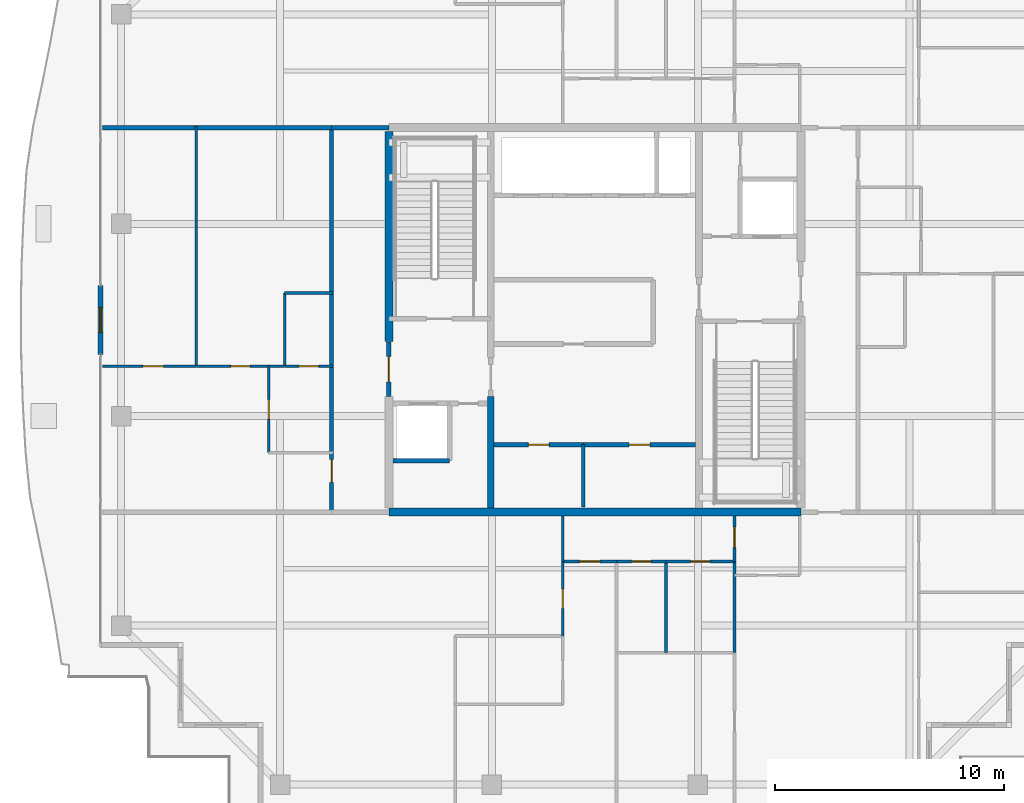
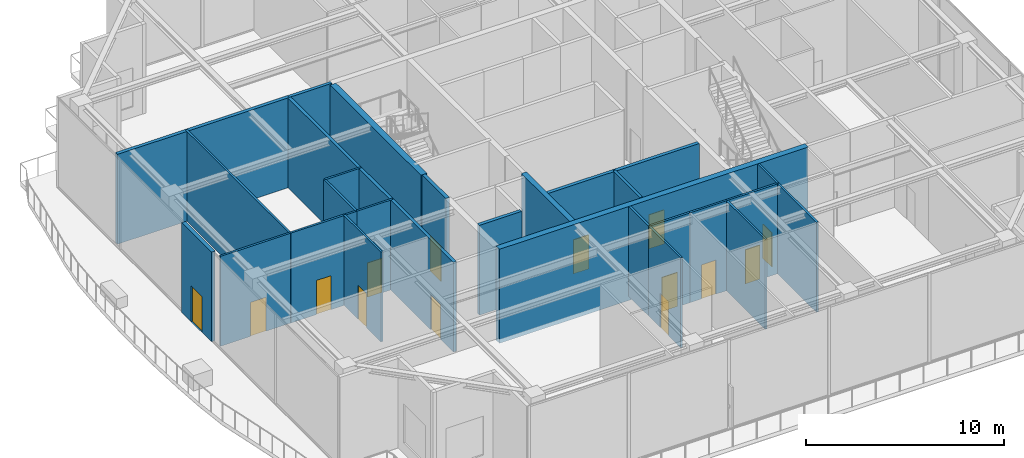
# One storey, part 26 of 38: 27 walls, 14 doors, 14 openings.
"""IFC4 building model written with IfcOpenShell, lengths in metres."""

from ifc_helpers import new_model, si_unit, direction, frame, frame_2d, origin, place, context, subcontext, project, spatial, rectangle, extrude, source, transform, mapped, material, layer, layer_set, type_object, element, fill, save


model = new_model("IFC4")

# Units and contexts
model_context = context("Model", 3, precision=1e-05, world=origin(), true_north=direction((0.0, 1.0)))
body_context = subcontext(model_context, "Body", "Model", "MODEL_VIEW")
ifc_project = project(units=[si_unit("LENGTHUNIT", "METRE"), si_unit("AREAUNIT", "SQUARE_METRE"), si_unit("VOLUMEUNIT", "CUBIC_METRE"), si_unit("PLANEANGLEUNIT", "RADIAN"), si_unit("MASSUNIT", "GRAM", prefix="KILO")], contexts=[model_context])

# Site, building, storey
site_placement = place(None, origin())
site = spatial("IfcSite", under=ifc_project, at=site_placement, CompositionType="ELEMENT")
building_placement = place(site_placement, origin())
building = spatial("IfcBuilding", under=site, at=building_placement, Name="Serunith Strait Residences", CompositionType="ELEMENT")
storey_placement = place(building_placement, frame((0.0, 0.0, 353.85009765625)))
storey = spatial("IfcBuildingStorey", under=building, at=storey_placement, Name="L87", CompositionType="ELEMENT", Elevation=353.85009765625)

# Wall, opening, door
ifc_material_1 = material(Name="Pale-Champagne Aluminium Insulated Panel", Category="aluminium")
ifc_layer_1 = layer(ifc_material_1, 0.219970703125, Name="Pale-Champagne Aluminium Insulated Panel")
ifc_layer_set_1 = layer_set([ifc_layer_1], Name="Pale-Champagne Aluminium Insulated Panel")
wall_type_1 = type_object("IfcWallType", Name="EW-ALUM-220", PredefinedType="ELEMENTEDWALL", material=ifc_layer_set_1)
wall_1_placement = place(storey_placement, frame((10.800048828125, 26.699951171875, 0.0), z_axis=(0.0, 0.0, 1.0), x_axis=(0.0, -1.0, 0.0)))
wall_1 = element("IfcWall", 1, at=wall_1_placement, inside=storey, type_object=wall_type_1, Name="L87 W Facade Pier Wall", PredefinedType="ELEMENTEDWALL", context=body_context, shape_type="SweptSolid", body=[
    extrude(rectangle(XDim=3.0, YDim=0.219970703125, at=frame_2d((1.5, 0.0))), origin(), (0.0, 0.0, 1.0), 5.52490234375),
])
opening_1_placement = place(wall_1_placement, frame((0.949951171875, 0.0, 0.0)))
opening_1 = element("IfcOpeningElement", 2, at=opening_1_placement, cuts=wall_1, Name="Opening ED-03", PredefinedType="OPENING", context=body_context, shape_type="SweptSolid", body=[
    extrude(rectangle(XDim=1.10009765625, YDim=2.199951171875, at=frame_2d((0.550048828125, 1.10009765625))), frame((0.0, 0.1201171875, 0.0), z_axis=(0.0, -1.0, 0.0), x_axis=(1.0, 0.0, 0.0)), (0.0, 0.0, 1.0), 0.239990234375),
])
ifc_material_2 = material(Name="Thermally-Broken Aluminium Glazed Balcony Door", Category="aluminium")
door_type_1 = type_object("IfcDoorType", Name="ED-BALC-1100", OperationType="NOTDEFINED", PredefinedType="DOOR", material=ifc_material_2)
shared_shape_1 = source(origin(), body_context, "Body", "SweptSolid", [
    extrude(rectangle(XDim=1.10009765625, YDim=2.199951171875, at=frame_2d((0.550048828125, 1.10009765625))), frame((0.0, 0.02490234375, 0.0), z_axis=(0.0, -1.0, 0.0), x_axis=(1.0, 0.0, 0.0)), (0.0, 0.0, 1.0), 0.050048828125),
])
door_1_placement = place(opening_1_placement, origin())
door_1 = element("IfcDoor", 3, at=door_1_placement, inside=storey, type_object=door_type_1, Name="L87 W Vertical-Forest Balcony Door", OperationType="SINGLE_SWING_LEFT", OverallHeight=2.199951171875, OverallWidth=1.10009765625, PredefinedType="DOOR", context=body_context, shape_type="MappedRepresentation", body=[
    mapped(shared_shape_1, transform((0.0, 0.0, 0.0), scale=1.0)),
])
fill(opening_1, door_1)

# Walls
ifc_material_3 = material(Name="Fire-rated masonry service closet wall", Category="masonry")
ifc_layer_2 = layer(ifc_material_3, 0.14990234375, Name="Fire-rated masonry service closet wall")
ifc_layer_set_2 = layer_set([ifc_layer_2], Name="Fire-rated masonry service closet wall")
wall_type_2 = type_object("IfcWallType", Name="IW-BOH-150", PredefinedType="PARTITIONING", material=ifc_layer_set_2)
wall_2_placement = place(storey_placement, frame((31.89990234375, 17.02001953125, 0.0), z_axis=(0.0, 0.0, 1.0), x_axis=(0.0, 1.0, 0.0)))
element("IfcWall", 4, at=wall_2_placement, inside=storey, type_object=wall_type_2, Name="L87 Partition Wall 014", PredefinedType="PARTITIONING", context=body_context, shape_type="SweptSolid", body=[
    extrude(rectangle(XDim=2.72998046875, YDim=0.14990234375, at=frame_2d((1.364990234375, 0.0))), origin(), (0.0, 0.0, 1.0), 5.539794921875),
])
ifc_material_4 = material(Name="Fire-rated acoustic gypsum partition")
ifc_layer_3 = layer(ifc_material_4, 0.179931640625, Name="Fire-rated acoustic gypsum partition")
ifc_layer_set_3 = layer_set([ifc_layer_3], Name="Fire-rated acoustic gypsum partition")
wall_type_3 = type_object("IfcWallType", Name="IW-CORR-180", PredefinedType="PARTITIONING", material=ifc_layer_set_3)
wall_3_placement = place(storey_placement, frame((20.902099609375, 33.60009765625, 0.0), z_axis=(0.0, 0.0, 1.0), x_axis=(1.0, 0.0, 0.0)))
element("IfcWall", 5, at=wall_3_placement, inside=storey, type_object=wall_type_3, Name="L87 Partition Wall 023", PredefinedType="PARTITIONING", context=body_context, shape_type="SweptSolid", body=[
    extrude(rectangle(XDim=2.495849609375, YDim=0.179931640625, at=frame_2d((1.248046875, 0.0))), origin(), (0.0, 0.0, 1.0), 5.539794921875),
])

# Wall, opening, door
wall_4_placement = place(storey_placement, frame((20.89990234375, 16.800048828125, 0.0), z_axis=(0.0, 0.0, 1.0), x_axis=(0.0, 1.0, 0.0)))
wall_4 = element("IfcWall", 6, at=wall_4_placement, inside=storey, type_object=wall_type_3, Name="L87 Partition Wall 024", PredefinedType="PARTITIONING", context=body_context, shape_type="SweptSolid", body=[
    extrude(rectangle(XDim=16.800048828125, YDim=0.179931640625, at=frame_2d((8.39990234375, 0.0))), origin(), (0.0, 0.0, 1.0), 5.539794921875),
])
opening_2_placement = place(wall_4_placement, frame((1.300048828125, 0.0, 0.0)))
opening_2 = element("IfcOpeningElement", 7, at=opening_2_placement, cuts=wall_4, Name="Opening D-APT1000", PredefinedType="OPENING", context=body_context, shape_type="SweptSolid", body=[
    extrude(rectangle(XDim=1.0, YDim=2.14990234375, at=frame_2d((0.5, 1.074951171875))), frame((0.0, 0.10009765625, 0.0), z_axis=(0.0, -1.0, 0.0), x_axis=(1.0, 0.0, 0.0)), (0.0, 0.0, 1.0), 0.199951171875),
])
ifc_material_5 = material(Name="Solid timber engineered fire door", Category="wood")
door_type_2 = type_object("IfcDoorType", Name="ID-APT-1000", OperationType="NOTDEFINED", PredefinedType="DOOR", material=ifc_material_5)
shared_shape_2 = source(origin(), body_context, "Body", "SweptSolid", [
    extrude(rectangle(XDim=1.0, YDim=2.14990234375, at=frame_2d((0.5, 1.074951171875))), frame((0.0, 0.02490234375, 0.0), z_axis=(0.0, -1.0, 0.0), x_axis=(1.0, 0.0, 0.0)), (0.0, 0.0, 1.0), 0.050048828125),
])
door_2_placement = place(opening_2_placement, origin())
door_2 = element("IfcDoor", 8, at=door_2_placement, inside=storey, type_object=door_type_2, Name="L87 Unit 03 Entrance Door", OperationType="SINGLE_SWING_RIGHT", OverallHeight=2.14990234375, OverallWidth=1.0, PredefinedType="DOOR", context=body_context, shape_type="MappedRepresentation", body=[
    mapped(shared_shape_2, transform((0.0, 0.0, 0.0), scale=1.0)),
])
fill(opening_2, door_2)

ifc_material_6 = material(Name="Lightweight steel-stud gypsum partition", Category="steel")
ifc_layer_4 = layer(ifc_material_6, 0.1201171875, Name="Lightweight steel-stud gypsum partition")
ifc_layer_set_4 = layer_set([ifc_layer_4], Name="Lightweight steel-stud gypsum partition")
wall_type_4 = type_object("IfcWallType", Name="IW-PART-120", PredefinedType="PARTITIONING", material=ifc_layer_set_4)
wall_5_placement = place(storey_placement, frame((38.5, 14.64990234375, 0.0), z_axis=(0.0, 0.0, 1.0), x_axis=(0.0, 1.0, 0.0)))
wall_5 = element("IfcWall", 9, at=wall_5_placement, inside=storey, type_object=wall_type_4, Name="L87 Partition Wall 030", PredefinedType="PARTITIONING", context=body_context, shape_type="SweptSolid", body=[
    extrude(rectangle(XDim=1.97509765625, YDim=0.1201171875, at=frame_2d((0.987548828125, 0.0))), origin(), (0.0, 0.0, 1.0), 5.539794921875),
])
opening_3_placement = place(wall_5_placement, frame((0.60107421875, 0.0, 0.0)))
opening_3 = element("IfcOpeningElement", 10, at=opening_3_placement, cuts=wall_5, Name="Opening D-RM900", PredefinedType="OPENING", context=body_context, shape_type="SweptSolid", body=[
    extrude(rectangle(XDim=0.89990234375, YDim=2.10009765625, at=frame_2d((0.449951171875, 1.050048828125))), frame((0.0, 0.070068359375, 0.0), z_axis=(0.0, -1.0, 0.0), x_axis=(1.0, 0.0, 0.0)), (0.0, 0.0, 1.0), 0.14013671875),
])
ifc_material_7 = material(Name="Engineered timber flush bedroom door", Category="wood")
door_type_3 = type_object("IfcDoorType", Name="ID-ROOM-900", OperationType="NOTDEFINED", PredefinedType="DOOR", material=ifc_material_7)
shared_shape_3 = source(origin(), body_context, "Body", "SweptSolid", [
    extrude(rectangle(XDim=0.89990234375, YDim=2.10009765625, at=frame_2d((0.449951171875, 1.050048828125))), frame((0.0, 0.02490234375, 0.0), z_axis=(0.0, -1.0, 0.0), x_axis=(1.0, 0.0, 0.0)), (0.0, 0.0, 1.0), 0.050048828125),
])
door_3_placement = place(opening_3_placement, origin())
door_3 = element("IfcDoor", 11, at=door_3_placement, inside=storey, type_object=door_type_3, Name="L87 Hall W 8701 Door", OperationType="SINGLE_SWING_LEFT", OverallHeight=2.10009765625, OverallWidth=0.89990234375, PredefinedType="DOOR", context=body_context, shape_type="MappedRepresentation", body=[
    mapped(shared_shape_3, transform((0.0, 0.0, 0.0), scale=1.0)),
])
fill(opening_3, door_3)

# Walls
wall_6_placement = place(storey_placement, frame((38.5, 10.666015625, 0.0), z_axis=(0.0, 0.0, 1.0), x_axis=(0.0, 1.0, 0.0)))
element("IfcWall", 12, at=wall_6_placement, inside=storey, type_object=wall_type_4, Name="L87 Partition Wall 032", PredefinedType="PARTITIONING", context=body_context, shape_type="SweptSolid", body=[
    extrude(rectangle(XDim=3.98193359375, YDim=0.1201171875, at=frame_2d((1.990966796875, 0.0))), origin(), (0.0, 0.0, 1.0), 5.539794921875),
])
wall_7_placement = place(storey_placement, frame((35.512939453125, 10.6640625, 0.0), z_axis=(0.0, 0.0, 1.0), x_axis=(0.0, 1.0, 0.0)))
element("IfcWall", 13, at=wall_7_placement, inside=storey, type_object=wall_type_4, Name="L87 Partition Wall 035", PredefinedType="PARTITIONING", context=body_context, shape_type="SweptSolid", body=[
    extrude(rectangle(XDim=3.98583984375, YDim=0.1201171875, at=frame_2d((1.992919921875, 0.0))), origin(), (0.0, 0.0, 1.0), 5.539794921875),
])

# Wall, opening, door
wall_8_placement = place(storey_placement, frame((33.35009765625, 14.64990234375, 0.0), z_axis=(0.0, 0.0, 1.0), x_axis=(1.0, 0.0, 0.0)))
wall_8 = element("IfcWall", 14, at=wall_8_placement, inside=storey, type_object=wall_type_4, Name="L87 Partition Wall 036", PredefinedType="PARTITIONING", context=body_context, shape_type="SweptSolid", body=[
    extrude(rectangle(XDim=2.162841796875, YDim=0.1201171875, at=frame_2d((1.08154296875, 0.0))), origin(), (0.0, 0.0, 1.0), 5.539794921875),
])
opening_4_placement = place(wall_8_placement, frame((0.656005859375, 0.0, 0.0)))
opening_4 = element("IfcOpeningElement", 15, at=opening_4_placement, cuts=wall_8, Name="Opening D-BTH850", PredefinedType="OPENING", context=body_context, shape_type="SweptSolid", body=[
    extrude(rectangle(XDim=0.85009765625, YDim=2.10009765625, at=frame_2d((0.425048828125, 1.050048828125))), frame((0.0, 0.070068359375, 0.0), z_axis=(0.0, -1.0, 0.0), x_axis=(1.0, 0.0, 0.0)), (0.0, 0.0, 1.0), 0.14013671875),
])
ifc_material_8 = material(Name="Moisture-resistant timber bathroom door", Category="wood")
door_type_4 = type_object("IfcDoorType", Name="ID-BATH-850", OperationType="NOTDEFINED", PredefinedType="DOOR", material=ifc_material_8)
shared_shape_4 = source(origin(), body_context, "Body", "SweptSolid", [
    extrude(rectangle(XDim=0.85009765625, YDim=2.10009765625, at=frame_2d((0.425048828125, 1.050048828125))), frame((0.0, 0.02490234375, 0.0), z_axis=(0.0, -1.0, 0.0), x_axis=(1.0, 0.0, 0.0)), (0.0, 0.0, 1.0), 0.050048828125),
])
door_4_placement = place(opening_4_placement, origin())
door_4 = element("IfcDoor", 16, at=door_4_placement, inside=storey, type_object=door_type_4, Name="L87 Bathroom 8701 Door", OperationType="SINGLE_SWING_LEFT", OverallHeight=2.10009765625, OverallWidth=0.85009765625, PredefinedType="DOOR", context=body_context, shape_type="MappedRepresentation", body=[
    mapped(shared_shape_4, transform((0.0, 0.0, 0.0), scale=1.0)),
])
fill(opening_4, door_4)

wall_9_placement = place(storey_placement, frame((35.514892578125, 14.64990234375, 0.0), z_axis=(0.0, 0.0, 1.0), x_axis=(1.0, 0.0, 0.0)))
wall_9 = element("IfcWall", 17, at=wall_9_placement, inside=storey, type_object=wall_type_4, Name="L87 Partition Wall 037", PredefinedType="PARTITIONING", context=body_context, shape_type="SweptSolid", body=[
    extrude(rectangle(XDim=2.985107421875, YDim=0.1201171875, at=frame_2d((1.49267578125, 0.0))), origin(), (0.0, 0.0, 1.0), 5.539794921875),
])
opening_5_placement = place(wall_9_placement, frame((1.06689453125, 0.0, 0.0)))
opening_5 = element("IfcOpeningElement", 18, at=opening_5_placement, cuts=wall_9, Name="Opening D-RM850", PredefinedType="OPENING", context=body_context, shape_type="SweptSolid", body=[
    extrude(rectangle(XDim=0.85009765625, YDim=2.10009765625, at=frame_2d((0.425048828125, 1.050048828125))), frame((0.0, 0.070068359375, 0.0), z_axis=(0.0, -1.0, 0.0), x_axis=(1.0, 0.0, 0.0)), (0.0, 0.0, 1.0), 0.14013671875),
])
ifc_material_9 = material(Name="Engineered timber flush study and kitchen door", Category="wood")
door_type_5 = type_object("IfcDoorType", Name="ID-ROOM-850", OperationType="NOTDEFINED", PredefinedType="DOOR", material=ifc_material_9)
door_5_placement = place(opening_5_placement, origin())
door_5 = element("IfcDoor", 19, at=door_5_placement, inside=storey, type_object=door_type_5, Name="L87 Formal Dining Room 8701 Door", OperationType="SINGLE_SWING_RIGHT", OverallHeight=2.10009765625, OverallWidth=0.85009765625, PredefinedType="DOOR", context=body_context, shape_type="MappedRepresentation", body=[
    mapped(shared_shape_4, transform((0.0, 0.0, 0.0), scale=1.0)),
])
fill(opening_5, door_5)

wall_10_placement = place(storey_placement, frame((31.0, 14.64990234375, 0.0), z_axis=(0.0, 0.0, 1.0), x_axis=(1.0, 0.0, 0.0)))
wall_10 = element("IfcWall", 20, at=wall_10_placement, inside=storey, type_object=wall_type_4, Name="L87 Partition Wall 038", PredefinedType="PARTITIONING", context=body_context, shape_type="SweptSolid", body=[
    extrude(rectangle(XDim=2.347900390625, YDim=0.1201171875, at=frame_2d((1.173828125, 0.0))), origin(), (0.0, 0.0, 1.0), 5.539794921875),
])
opening_6_placement = place(wall_10_placement, frame((0.72412109375, 0.0, 0.0)))
opening_6 = element("IfcOpeningElement", 21, at=opening_6_placement, cuts=wall_10, Name="Opening D-RM900", PredefinedType="OPENING", context=body_context, shape_type="SweptSolid", body=[
    extrude(rectangle(XDim=0.89990234375, YDim=2.10009765625, at=frame_2d((0.449951171875, 1.050048828125))), frame((0.0, 0.070068359375, 0.0), z_axis=(0.0, -1.0, 0.0), x_axis=(1.0, 0.0, 0.0)), (0.0, 0.0, 1.0), 0.14013671875),
])
door_6_placement = place(opening_6_placement, origin())
door_6 = element("IfcDoor", 22, at=door_6_placement, inside=storey, type_object=door_type_3, Name="L87 Master Bedroom W 8701 Door", OperationType="SINGLE_SWING_LEFT", OverallHeight=2.10009765625, OverallWidth=0.89990234375, PredefinedType="DOOR", context=body_context, shape_type="MappedRepresentation", body=[
    mapped(shared_shape_3, transform((0.0, 0.0, 0.0), scale=1.0)),
])
fill(opening_6, door_6)

wall_11_placement = place(storey_placement, frame((31.0, 11.39111328125, 0.0), z_axis=(0.0, 0.0, 1.0), x_axis=(0.0, 1.0, 0.0)))
wall_11 = element("IfcWall", 23, at=wall_11_placement, inside=storey, type_object=wall_type_4, Name="L87 Partition Wall 043", PredefinedType="PARTITIONING", context=body_context, shape_type="SweptSolid", body=[
    extrude(rectangle(XDim=3.2587890625, YDim=0.1201171875, at=frame_2d((1.62939453125, 0.0))), origin(), (0.0, 0.0, 1.0), 5.539794921875),
])
opening_7_placement = place(wall_11_placement, frame((1.205078125, 0.0, 0.0)))
opening_7 = element("IfcOpeningElement", 24, at=opening_7_placement, cuts=wall_11, Name="Opening D-RM850", PredefinedType="OPENING", context=body_context, shape_type="SweptSolid", body=[
    extrude(rectangle(XDim=0.85009765625, YDim=2.10009765625, at=frame_2d((0.425048828125, 1.050048828125))), frame((0.0, 0.070068359375, 0.0), z_axis=(0.0, -1.0, 0.0), x_axis=(1.0, 0.0, 0.0)), (0.0, 0.0, 1.0), 0.14013671875),
])
door_7_placement = place(opening_7_placement, origin())
door_7 = element("IfcDoor", 25, at=door_7_placement, inside=storey, type_object=door_type_5, Name="L87 Wardrobe W 8701 Door", OperationType="SINGLE_SWING_LEFT", OverallHeight=2.10009765625, OverallWidth=0.85009765625, PredefinedType="DOOR", context=body_context, shape_type="MappedRepresentation", body=[
    mapped(shared_shape_4, transform((0.0, 0.0, 0.0), scale=1.0)),
])
fill(opening_7, door_7)

# Wall
wall_12_placement = place(storey_placement, frame((31.0, 14.652099609375, 0.0), z_axis=(0.0, 0.0, 1.0), x_axis=(0.0, 1.0, 0.0)))
element("IfcWall", 26, at=wall_12_placement, inside=storey, type_object=wall_type_4, Name="L87 Partition Wall 044", PredefinedType="PARTITIONING", context=body_context, shape_type="SweptSolid", body=[
    extrude(rectangle(XDim=1.972900390625, YDim=0.1201171875, at=frame_2d((0.986328125, 0.0))), origin(), (0.0, 0.0, 1.0), 5.539794921875),
])

# Wall, opening, door
wall_13_placement = place(storey_placement, frame((18.14990234375, 19.39990234375, 0.0), z_axis=(0.0, 0.0, 1.0), x_axis=(0.0, 1.0, 0.0)))
wall_13 = element("IfcWall", 27, at=wall_13_placement, inside=storey, type_object=wall_type_4, Name="L87 Partition Wall 068", PredefinedType="PARTITIONING", context=body_context, shape_type="SweptSolid", body=[
    extrude(rectangle(XDim=3.780029296875, YDim=0.1201171875, at=frame_2d((1.89013671875, 0.0))), origin(), (0.0, 0.0, 1.0), 5.539794921875),
])
opening_8_placement = place(wall_13_placement, frame((1.465087890625, 0.0, 0.0)))
opening_8 = element("IfcOpeningElement", 28, at=opening_8_placement, cuts=wall_13, Name="Opening D-RM850", PredefinedType="OPENING", context=body_context, shape_type="SweptSolid", body=[
    extrude(rectangle(XDim=0.85009765625, YDim=2.10009765625, at=frame_2d((0.425048828125, 1.050048828125))), frame((0.0, 0.070068359375, 0.0), z_axis=(0.0, -1.0, 0.0), x_axis=(1.0, 0.0, 0.0)), (0.0, 0.0, 1.0), 0.14013671875),
])
door_8_placement = place(opening_8_placement, origin())
door_8 = element("IfcDoor", 29, at=door_8_placement, inside=storey, type_object=door_type_5, Name="L87 Kitchen 8703 Door", OperationType="SINGLE_SWING_RIGHT", OverallHeight=2.10009765625, OverallWidth=0.85009765625, PredefinedType="DOOR", context=body_context, shape_type="MappedRepresentation", body=[
    mapped(shared_shape_4, transform((0.0, 0.0, 0.0), scale=1.0)),
])
fill(opening_8, door_8)

wall_14_placement = place(storey_placement, frame((10.89501953125, 23.179931640625, 0.0), z_axis=(0.0, 0.0, 1.0), x_axis=(1.0, 0.0, 0.0)))
wall_14 = element("IfcWall", 30, at=wall_14_placement, inside=storey, type_object=wall_type_4, Name="L87 Partition Wall 070", PredefinedType="PARTITIONING", context=body_context, shape_type="SweptSolid", body=[
    extrude(rectangle(XDim=4.087890625, YDim=0.1201171875, at=frame_2d((2.0439453125, 0.0))), origin(), (0.0, 0.0, 1.0), 5.539794921875),
])
opening_9_placement = place(wall_14_placement, frame((1.7529296875, 0.0, 0.0)))
opening_9 = element("IfcOpeningElement", 31, at=opening_9_placement, cuts=wall_14, Name="Opening D-RM900", PredefinedType="OPENING", context=body_context, shape_type="SweptSolid", body=[
    extrude(rectangle(XDim=0.89990234375, YDim=2.10009765625, at=frame_2d((0.449951171875, 1.050048828125))), frame((0.0, 0.070068359375, 0.0), z_axis=(0.0, -1.0, 0.0), x_axis=(1.0, 0.0, 0.0)), (0.0, 0.0, 1.0), 0.14013671875),
])
door_9_placement = place(opening_9_placement, origin())
door_9 = element("IfcDoor", 32, at=door_9_placement, inside=storey, type_object=door_type_3, Name="L87 Master Bedroom 1 8703 Door", OperationType="SINGLE_SWING_LEFT", OverallHeight=2.10009765625, OverallWidth=0.89990234375, PredefinedType="DOOR", context=body_context, shape_type="MappedRepresentation", body=[
    mapped(shared_shape_3, transform((0.0, 0.0, 0.0), scale=1.0)),
])
fill(opening_9, door_9)

# Walls
wall_15_placement = place(storey_placement, frame((14.98291015625, 23.179931640625, 0.0), z_axis=(0.0, 0.0, 1.0), x_axis=(0.0, 1.0, 0.0)))
element("IfcWall", 33, at=wall_15_placement, inside=storey, type_object=wall_type_4, Name="L87 Partition Wall 071", PredefinedType="PARTITIONING", context=body_context, shape_type="SweptSolid", body=[
    extrude(rectangle(XDim=10.47998046875, YDim=0.1201171875, at=frame_2d((5.239990234375, 0.0))), origin(), (0.0, 0.0, 1.0), 5.539794921875),
])
wall_16_placement = place(storey_placement, frame((18.85009765625, 23.179931640625, 0.0), z_axis=(0.0, 0.0, 1.0), x_axis=(0.0, 1.0, 0.0)))
element("IfcWall", 34, at=wall_16_placement, inside=storey, type_object=wall_type_4, Name="L87 Partition Wall 072", PredefinedType="PARTITIONING", context=body_context, shape_type="SweptSolid", body=[
    extrude(rectangle(XDim=3.199951171875, YDim=0.1201171875, at=frame_2d((1.60009765625, 0.0))), origin(), (0.0, 0.0, 1.0), 5.539794921875),
])
wall_17_placement = place(storey_placement, frame((18.85009765625, 26.3798828125, 0.0), z_axis=(0.0, 0.0, 1.0), x_axis=(1.0, 0.0, 0.0)))
element("IfcWall", 35, at=wall_17_placement, inside=storey, type_object=wall_type_4, Name="L87 Partition Wall 073", PredefinedType="PARTITIONING", context=body_context, shape_type="SweptSolid", body=[
    extrude(rectangle(XDim=2.10986328125, YDim=0.1201171875, at=frame_2d((1.054931640625, 0.0))), origin(), (0.0, 0.0, 1.0), 5.539794921875),
])

# Wall, opening, door
wall_18_placement = place(storey_placement, frame((14.985107421875, 23.179931640625, 0.0), z_axis=(0.0, 0.0, 1.0), x_axis=(1.0, 0.0, 0.0)))
wall_18 = element("IfcWall", 36, at=wall_18_placement, inside=storey, type_object=wall_type_4, Name="L87 Partition Wall 074", PredefinedType="PARTITIONING", context=body_context, shape_type="SweptSolid", body=[
    extrude(rectangle(XDim=3.864990234375, YDim=0.1201171875, at=frame_2d((1.9326171875, 0.0))), origin(), (0.0, 0.0, 1.0), 5.539794921875),
])
opening_10_placement = place(wall_18_placement, frame((1.508056640625, 0.0, 0.0)))
opening_10 = element("IfcOpeningElement", 37, at=opening_10_placement, cuts=wall_18, Name="Opening D-RM850", PredefinedType="OPENING", context=body_context, shape_type="SweptSolid", body=[
    extrude(rectangle(XDim=0.85009765625, YDim=2.10009765625, at=frame_2d((0.425048828125, 1.050048828125))), frame((0.0, 0.070068359375, 0.0), z_axis=(0.0, -1.0, 0.0), x_axis=(1.0, 0.0, 0.0)), (0.0, 0.0, 1.0), 0.14013671875),
])
door_10_placement = place(opening_10_placement, origin())
door_10 = element("IfcDoor", 38, at=door_10_placement, inside=storey, type_object=door_type_5, Name="L87 Walk-in Wardrobe 8703 Door", OperationType="SINGLE_SWING_RIGHT", OverallHeight=2.10009765625, OverallWidth=0.85009765625, PredefinedType="DOOR", context=body_context, shape_type="MappedRepresentation", body=[
    mapped(shared_shape_4, transform((0.0, 0.0, 0.0), scale=1.0)),
])
fill(opening_10, door_10)

wall_19_placement = place(storey_placement, frame((18.85205078125, 23.179931640625, 0.0), z_axis=(0.0, 0.0, 1.0), x_axis=(1.0, 0.0, 0.0)))
wall_19 = element("IfcWall", 39, at=wall_19_placement, inside=storey, type_object=wall_type_4, Name="L87 Partition Wall 075", PredefinedType="PARTITIONING", context=body_context, shape_type="SweptSolid", body=[
    extrude(rectangle(XDim=2.10791015625, YDim=0.1201171875, at=frame_2d((1.053955078125, 0.0))), origin(), (0.0, 0.0, 1.0), 5.539794921875),
])
opening_11_placement = place(wall_19_placement, frame((0.62890625, 0.0, 0.0)))
opening_11 = element("IfcOpeningElement", 40, at=opening_11_placement, cuts=wall_19, Name="Opening D-BTH850", PredefinedType="OPENING", context=body_context, shape_type="SweptSolid", body=[
    extrude(rectangle(XDim=0.85009765625, YDim=2.10009765625, at=frame_2d((0.425048828125, 1.050048828125))), frame((0.0, 0.070068359375, 0.0), z_axis=(0.0, -1.0, 0.0), x_axis=(1.0, 0.0, 0.0)), (0.0, 0.0, 1.0), 0.14013671875),
])
door_11_placement = place(opening_11_placement, origin())
door_11 = element("IfcDoor", 41, at=door_11_placement, inside=storey, type_object=door_type_4, Name="L87 Bathroom 8703 Door", OperationType="SINGLE_SWING_LEFT", OverallHeight=2.10009765625, OverallWidth=0.85009765625, PredefinedType="DOOR", context=body_context, shape_type="MappedRepresentation", body=[
    mapped(shared_shape_4, transform((0.0, 0.0, 0.0), scale=1.0)),
])
fill(opening_11, door_11)

# Walls
ifc_material_10 = material(Name="Twin-stud acoustic gypsum board partition")
ifc_layer_5 = layer(ifc_material_10, 0.199951171875, Name="Twin-stud acoustic gypsum board partition")
ifc_layer_set_5 = layer_set([ifc_layer_5], Name="Twin-stud acoustic gypsum board partition")
wall_type_5 = type_object("IfcWallType", Name="IW-PARTY-200", PredefinedType="PARTITIONING", material=ifc_layer_set_5)
wall_20_placement = place(storey_placement, frame((10.882080078125, 33.60009765625, 0.0), z_axis=(0.0, 0.0, 1.0), x_axis=(1.0, 0.0, 0.0)))
element("IfcWall", 42, at=wall_20_placement, inside=storey, type_object=wall_type_5, Name="L87 Partition Wall 020", PredefinedType="PARTITIONING", context=body_context, shape_type="SweptSolid", body=[
    extrude(rectangle(XDim=10.017822265625, YDim=0.199951171875, at=frame_2d((5.0087890625, 0.0))), origin(), (0.0, 0.0, 1.0), 5.539794921875),
])
ifc_material_11 = material(Name="Autoclaved aerated concrete blockwork", Category="masonry")
ifc_layer_6 = layer(ifc_material_11, 0.199951171875, Name="Autoclaved aerated concrete blockwork")
ifc_layer_set_6 = layer_set([ifc_layer_6], Name="Autoclaved aerated concrete blockwork")
wall_type_6 = type_object("IfcWallType", Name="IW-SHAFT-200", PredefinedType="STANDARD", material=ifc_layer_set_6)
wall_21_placement = place(storey_placement, frame((23.574951171875, 19.050048828125, 0.0), z_axis=(0.0, 0.0, 1.0), x_axis=(1.0, 0.0, 0.0)))
element("IfcWall", 43, at=wall_21_placement, inside=storey, type_object=wall_type_6, Name="L87 Partition Wall 002", PredefinedType="STANDARD", context=body_context, shape_type="SweptSolid", body=[
    extrude(rectangle(XDim=2.47509765625, YDim=0.199951171875, at=frame_2d((1.237548828125, 0.0))), origin(), (0.0, 0.0, 1.0), 5.539794921875),
])

# Wall, opening, door
wall_22_placement = place(storey_placement, frame((23.39990234375, 21.85205078125, 0.0), z_axis=(0.0, 0.0, 1.0), x_axis=(0.0, 1.0, 0.0)))
wall_22 = element("IfcWall", 44, at=wall_22_placement, inside=storey, type_object=wall_type_6, Name="L87 Partition Wall 007", PredefinedType="STANDARD", context=body_context, shape_type="SweptSolid", body=[
    extrude(rectangle(XDim=2.39599609375, YDim=0.199951171875, at=frame_2d((1.197998046875, 0.0))), origin(), (0.0, 0.0, 1.0), 5.539794921875),
])
opening_12_placement = place(wall_22_placement, frame((0.64794921875, 0.0, 0.0)))
opening_12 = element("IfcOpeningElement", 45, at=opening_12_placement, cuts=wall_22, Name="Opening FD-FFL", PredefinedType="OPENING", context=body_context, shape_type="SweptSolid", body=[
    extrude(rectangle(XDim=1.10009765625, YDim=2.14990234375, at=frame_2d((0.550048828125, 1.074951171875))), frame((0.0, 0.10986328125, 0.0), z_axis=(0.0, -1.0, 0.0), x_axis=(1.0, 0.0, 0.0)), (0.0, 0.0, 1.0), 0.219970703125),
])
ifc_material_12 = material(Name="Glazed steel smoke-lobby fire door", Category="steel")
door_type_6 = type_object("IfcDoorType", Name="FD-FFL-1100", OperationType="NOTDEFINED", PredefinedType="DOOR", material=ifc_material_12)
shared_shape_5 = source(origin(), body_context, "Body", "SweptSolid", [
    extrude(rectangle(XDim=1.10009765625, YDim=2.14990234375, at=frame_2d((0.550048828125, 1.074951171875))), frame((0.0, 0.02490234375, 0.0), z_axis=(0.0, -1.0, 0.0), x_axis=(1.0, 0.0, 0.0)), (0.0, 0.0, 1.0), 0.050048828125),
])
door_12_placement = place(opening_12_placement, origin())
door_12 = element("IfcDoor", 46, at=door_12_placement, inside=storey, type_object=door_type_6, Name="L87 FFL-1 Corridor Fire Door", OperationType="SINGLE_SWING_RIGHT", OverallHeight=2.14990234375, OverallWidth=1.10009765625, PredefinedType="DOOR", context=body_context, shape_type="MappedRepresentation", body=[
    mapped(shared_shape_5, transform((0.0, 0.0, 0.0), scale=1.0)),
])
fill(opening_12, door_12)

wall_23_placement = place(storey_placement, frame((28.0, 19.75, 0.0), z_axis=(0.0, 0.0, 1.0), x_axis=(1.0, 0.0, 0.0)))
wall_23 = element("IfcWall", 47, at=wall_23_placement, inside=storey, type_object=wall_type_6, Name="L87 Partition Wall 012", PredefinedType="STANDARD", context=body_context, shape_type="SweptSolid", body=[
    extrude(rectangle(XDim=3.89990234375, YDim=0.199951171875, at=frame_2d((1.949951171875, 0.0))), origin(), (0.0, 0.0, 1.0), 5.539794921875),
])
opening_13_placement = place(wall_23_placement, frame((1.5, 0.0, 0.0)))
opening_13 = element("IfcOpeningElement", 48, at=opening_13_placement, cuts=wall_23, Name="Opening FD-900", PredefinedType="OPENING", context=body_context, shape_type="SweptSolid", body=[
    extrude(rectangle(XDim=0.89990234375, YDim=2.10009765625, at=frame_2d((0.449951171875, 1.050048828125))), frame((0.0, 0.10986328125, 0.0), z_axis=(0.0, -1.0, 0.0), x_axis=(1.0, 0.0, 0.0)), (0.0, 0.0, 1.0), 0.219970703125),
])
ifc_material_13 = material(Name="Powder-coated steel riser door", Category="steel")
door_type_7 = type_object("IfcDoorType", Name="FD-BOH-900", OperationType="NOTDEFINED", PredefinedType="DOOR", material=ifc_material_13)
door_13_placement = place(opening_13_placement, origin())
door_13 = element("IfcDoor", 49, at=door_13_placement, inside=storey, type_object=door_type_7, Name="L87 Housekeeping Store Door", OperationType="SINGLE_SWING_LEFT", OverallHeight=2.10009765625, OverallWidth=0.89990234375, PredefinedType="DOOR", context=body_context, shape_type="MappedRepresentation", body=[
    mapped(shared_shape_3, transform((0.0, 0.0, 0.0), scale=1.0)),
])
fill(opening_13, door_13)

wall_24_placement = place(storey_placement, frame((31.902099609375, 19.75, 0.0), z_axis=(0.0, 0.0, 1.0), x_axis=(1.0, 0.0, 0.0)))
wall_24 = element("IfcWall", 50, at=wall_24_placement, inside=storey, type_object=wall_type_6, Name="L87 Partition Wall 013", PredefinedType="STANDARD", context=body_context, shape_type="SweptSolid", body=[
    extrude(rectangle(XDim=4.89794921875, YDim=0.199951171875, at=frame_2d((2.448974609375, 0.0))), origin(), (0.0, 0.0, 1.0), 5.539794921875),
])
opening_14_placement = place(wall_24_placement, frame((1.9990234375, 0.0, 0.0)))
opening_14 = element("IfcOpeningElement", 51, at=opening_14_placement, cuts=wall_24, Name="Opening FD-900", PredefinedType="OPENING", context=body_context, shape_type="SweptSolid", body=[
    extrude(rectangle(XDim=0.89990234375, YDim=2.10009765625, at=frame_2d((0.449951171875, 1.050048828125))), frame((0.0, 0.10986328125, 0.0), z_axis=(0.0, -1.0, 0.0), x_axis=(1.0, 0.0, 0.0)), (0.0, 0.0, 1.0), 0.219970703125),
])
door_14_placement = place(opening_14_placement, origin())
door_14 = element("IfcDoor", 52, at=door_14_placement, inside=storey, type_object=door_type_7, Name="L87 High-Rise Meter Door", OperationType="SINGLE_SWING_RIGHT", OverallHeight=2.10009765625, OverallWidth=0.89990234375, PredefinedType="DOOR", context=body_context, shape_type="MappedRepresentation", body=[
    mapped(shared_shape_3, transform((0.0, 0.0, 0.0), scale=1.0)),
])
fill(opening_14, door_14)

# Walls
ifc_material_14 = material(Name="Concrete C60/75", Category="concrete")
ifc_layer_7 = layer(ifc_material_14, 0.300048828125, Name="Concrete C60/75")
ifc_layer_set_7 = layer_set([ifc_layer_7], Name="Concrete C60/75")
wall_type_7 = type_object("IfcWallType", Name="SW-300-C60", PredefinedType="SHEAR", material=ifc_layer_set_7)
wall_25_placement = place(storey_placement, frame((27.85009765625, 16.97509765625, -0.260009765625), z_axis=(0.0, 0.0, 1.0), x_axis=(0.0, 1.0, 0.0)))
element("IfcWall", 53, at=wall_25_placement, inside=storey, type_object=wall_type_7, Name="L87 Core Internal West Web South Pier", PredefinedType="SHEAR", context=body_context, shape_type="SweptSolid", body=[
    extrude(rectangle(XDim=4.875, YDim=0.300048828125, at=frame_2d((2.4375, 0.0))), origin(), (0.0, 0.0, 1.0), 5.7978515625),
])
ifc_layer_8 = layer(ifc_material_14, 0.35009765625, Name="Concrete C60/75")
ifc_layer_set_8 = layer_set([ifc_layer_8], Name="Concrete C60/75")
wall_type_8 = type_object("IfcWallType", Name="SW-350-C60", PredefinedType="SHEAR", material=ifc_layer_set_8)
wall_26_placement = place(storey_placement, frame((23.39990234375, 16.800048828125, -0.260009765625), z_axis=(0.0, 0.0, 1.0), x_axis=(1.0, 0.0, 0.0)))
element("IfcWall", 54, at=wall_26_placement, inside=storey, type_object=wall_type_8, Name="L87 Core South Shear Wall", PredefinedType="SHEAR", context=body_context, shape_type="SweptSolid", body=[
    extrude(rectangle(XDim=18.0, YDim=0.35009765625, at=frame_2d((9.0, 0.0))), origin(), (0.0, 0.0, 1.0), 5.7978515625),
])
wall_27_placement = place(storey_placement, frame((23.39990234375, 24.25, -0.260009765625), z_axis=(0.0, 0.0, 1.0), x_axis=(0.0, 1.0, 0.0)))
element("IfcWall", 55, at=wall_27_placement, inside=storey, type_object=wall_type_8, Name="L87 Core West Shear Wall North Pier", PredefinedType="SHEAR", context=body_context, shape_type="SweptSolid", body=[
    extrude(rectangle(XDim=9.175048828125, YDim=0.35009765625, at=frame_2d((4.58740234375, 0.0))), origin(), (0.0, 0.0, 1.0), 5.7978515625),
])

save(model, "model.ifc")
